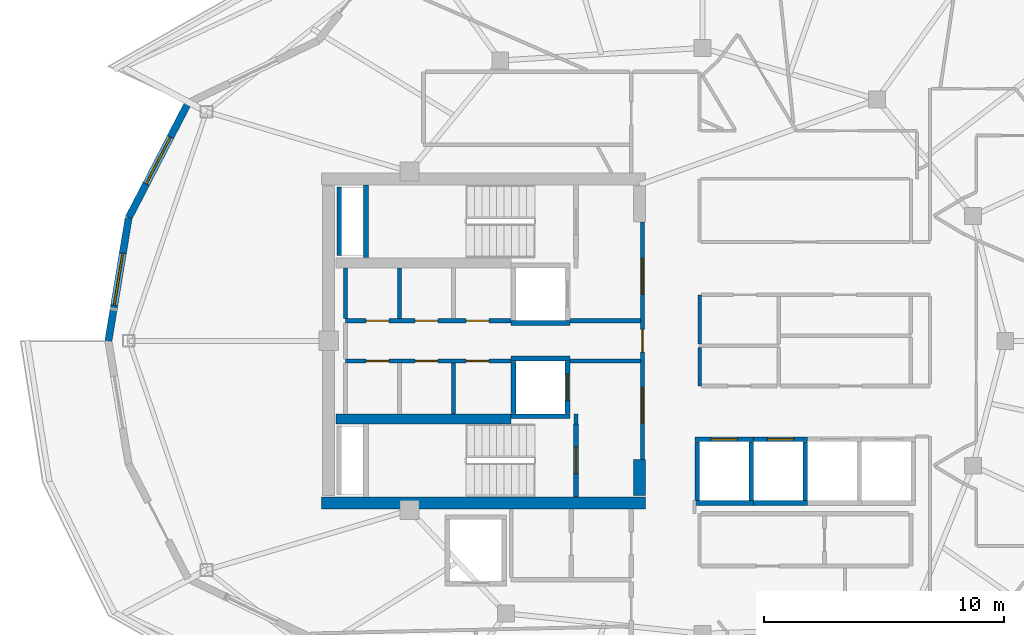
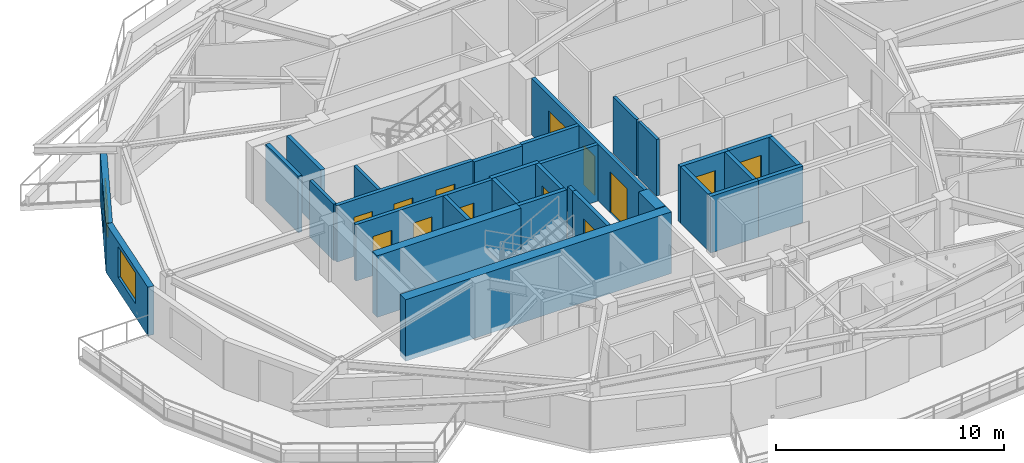
# One storey, part 4 of 18: 31 walls, 13 doors, 2 windows, 15 openings.
"""IFC4 building model written with IfcOpenShell, lengths in metres."""

from ifc_helpers import new_model, si_unit, direction, frame, frame_2d, origin, place, context, subcontext, project, spatial, rectangle, extrude, material, layer, layer_set, type_object, element, fill, save


model = new_model("IFC4")

# Units and contexts
model_context = context("Model", 3, precision=1e-05, world=origin(), true_north=direction((0.0, 1.0)))
body_context = subcontext(model_context, "Body", "Model", "MODEL_VIEW")
ifc_project = project(units=[si_unit("LENGTHUNIT", "METRE"), si_unit("AREAUNIT", "SQUARE_METRE"), si_unit("VOLUMEUNIT", "CUBIC_METRE"), si_unit("PLANEANGLEUNIT", "RADIAN"), si_unit("MASSUNIT", "GRAM", prefix="KILO")], contexts=[model_context])

# Site, building, storey
site_placement = place(None, origin())
site = spatial("IfcSite", under=ifc_project, at=site_placement, CompositionType="ELEMENT")
building_placement = place(site_placement, origin())
building = spatial("IfcBuilding", under=site, at=building_placement, Name="Kolvaren Gate Tower and Convention Centre", CompositionType="ELEMENT")
storey_placement = place(building_placement, frame((0.0, 0.0, 229.39990234375)))
storey = spatial("IfcBuildingStorey", under=building, at=storey_placement, Name="L61", CompositionType="ELEMENT", Elevation=229.39990234375)

# Wall
ifc_material_1 = material(Name="Autoclaved Aerated Masonry Blockwork Class 4 (4.0 MPa)", Category="masonry")
ifc_layer_1 = layer(ifc_material_1, 0.179931640625)
ifc_layer_set_1 = layer_set([ifc_layer_1], Name="Autoclaved Aerated Masonry Blockwork Class 4 (4.0 MPa)")
wall_type_1 = type_object("IfcWallType", Name="ARCH-WL-COMP-180", PredefinedType="SOLIDWALL", material=ifc_layer_set_1)
wall_1_placement = place(storey_placement, frame((24.85009765625, 23.5400390625, 0.0), z_axis=(0.0, 0.0, 1.0), x_axis=(0.0, 1.0, 0.0)))
element("IfcWall", 1, at=wall_1_placement, inside=storey, type_object=wall_type_1, Name="Interior Partition WL-L61-INT-001", PredefinedType="SOLIDWALL", context=body_context, shape_type="SweptSolid", body=[
    extrude(rectangle(XDim=0.419921875, YDim=0.179931640625, at=frame_2d((0.2099609375, 0.0))), origin(), (0.0, 0.0, 1.0), 3.030029296875),
])

# Wall, openings, doors
wall_2_placement = place(storey_placement, frame((27.6201171875, 22.050048828125, 0.0), z_axis=(0.0, 0.0, 1.0), x_axis=(0.0, 1.0, 0.0)))
wall_2 = element("IfcWall", 2, at=wall_2_placement, inside=storey, type_object=wall_type_1, Name="Interior Partition WL-L61-INT-003", PredefinedType="SOLIDWALL", context=body_context, shape_type="SweptSolid", body=[
    extrude(rectangle(XDim=9.89990234375, YDim=0.179931640625, at=frame_2d((4.949951171875, 0.0))), origin(), (0.0, 0.0, 1.0), 3.030029296875),
])
opening_1_placement = place(wall_2_placement, frame((4.47509765625, 0.0, 0.0)))
opening_1 = element("IfcOpeningElement", 3, at=opening_1_placement, cuts=wall_2, Name="Opening DR-01", PredefinedType="OPENING", context=body_context, shape_type="SweptSolid", body=[
    extrude(rectangle(XDim=0.949951171875, YDim=2.10009765625, at=frame_2d((0.47509765625, 1.050048828125))), frame((0.0, 0.099853515625, 0.0), z_axis=(0.0, -1.0, 0.0), x_axis=(1.0, 0.0, 0.0)), (0.0, 0.0, 1.0), 0.199951171875),
])
opening_2_placement = place(wall_2_placement, frame((6.889892578125, 0.0, 0.0)))
opening_2 = element("IfcOpeningElement", 4, at=opening_2_placement, cuts=wall_2, Name="Opening DL-01", PredefinedType="OPENING", context=body_context, shape_type="SweptSolid", body=[
    extrude(rectangle(XDim=1.5, YDim=2.199951171875, at=frame_2d((0.75, 1.10009765625))), frame((0.0, 0.099853515625, 0.0), z_axis=(0.0, -1.0, 0.0), x_axis=(1.0, 0.0, 0.0)), (0.0, 0.0, 1.0), 0.199951171875),
])
opening_3_placement = place(wall_2_placement, frame((1.510009765625, 0.0, 0.0)))
opening_3 = element("IfcOpeningElement", 5, at=opening_3_placement, cuts=wall_2, Name="Opening DL-01", PredefinedType="OPENING", context=body_context, shape_type="SweptSolid", body=[
    extrude(rectangle(XDim=1.5, YDim=2.199951171875, at=frame_2d((0.75, 1.10009765625))), frame((0.0, 0.099853515625, 0.0), z_axis=(0.0, -1.0, 0.0), x_axis=(1.0, 0.0, 0.0)), (0.0, 0.0, 1.0), 0.199951171875),
])
ifc_material_2 = material(Name="Painted Architectural Steelwork ASTM A500 Grade C 345 MPa", Category="steel")
door_type_1 = type_object("IfcDoorType", Name="ARCH-DR-LOBBY-1500", OperationType="DOUBLE_DOOR_SINGLE_SWING", PredefinedType="DOOR", material=ifc_material_2)
door_1_placement = place(opening_2_placement, origin())
door_1 = element("IfcDoor", 6, at=door_1_placement, inside=storey, type_object=door_type_1, Name="North Firefighting Stair and Lift Lobby Door", OperationType="DOUBLE_DOOR_SINGLE_SWING", OverallHeight=2.199951171875, OverallWidth=1.5, PredefinedType="DOOR", context=body_context, shape_type="SweptSolid", body=[
    extrude(rectangle(XDim=1.5, YDim=2.199951171875, at=frame_2d((0.75, 1.10009765625))), frame((0.0, 0.02490234375, 0.0), z_axis=(0.0, -1.0, 0.0), x_axis=(1.0, 0.0, 0.0)), (0.0, 0.0, 1.0), 0.050048828125),
])
fill(opening_2, door_1)
door_2_placement = place(opening_3_placement, origin())
door_2 = element("IfcDoor", 7, at=door_2_placement, inside=storey, type_object=door_type_1, Name="South Firefighting Stair and Lift Lobby Door", OperationType="DOUBLE_DOOR_SINGLE_SWING", OverallHeight=2.199951171875, OverallWidth=1.5, PredefinedType="DOOR", context=body_context, shape_type="SweptSolid", body=[
    extrude(rectangle(XDim=1.5, YDim=2.199951171875, at=frame_2d((0.75, 1.10009765625))), frame((0.0, 0.02490234375, 0.0), z_axis=(0.0, -1.0, 0.0), x_axis=(1.0, 0.0, 0.0)), (0.0, 0.0, 1.0), 0.050048828125),
])
fill(opening_3, door_2)
door_type_2 = type_object("IfcDoorType", Name="ARCH-DR-RISER-950", OperationType="SINGLE_SWING_RIGHT", PredefinedType="DOOR", material=ifc_material_2)
door_3_placement = place(opening_1_placement, origin())
door_3 = element("IfcDoor", 8, at=door_3_placement, inside=storey, type_object=door_type_2, Name="Central MEP Service Corridor Door", OperationType="SINGLE_SWING_LEFT", OverallHeight=2.10009765625, OverallWidth=0.949951171875, PredefinedType="DOOR", context=body_context, shape_type="SweptSolid", body=[
    extrude(rectangle(XDim=0.949951171875, YDim=2.10009765625, at=frame_2d((0.47509765625, 1.050048828125))), frame((0.0, 0.02490234375, 0.0), z_axis=(0.0, -1.0, 0.0), x_axis=(1.0, 0.0, 0.0)), (0.0, 0.0, 1.0), 0.050048828125),
])
fill(opening_1, door_3)

wall_3_placement = place(storey_placement, frame((15.25, 27.840087890625, 0.0), z_axis=(0.0, 0.0, 1.0), x_axis=(1.0, 0.0, 0.0)))
wall_3 = element("IfcWall", 9, at=wall_3_placement, inside=storey, type_object=wall_type_1, Name="Interior Partition WL-L61-INT-004", PredefinedType="SOLIDWALL", context=body_context, shape_type="SweptSolid", body=[
    extrude(rectangle(XDim=6.89990234375, YDim=0.179931640625, at=frame_2d((3.449951171875, 0.0))), origin(), (0.0, 0.0, 1.0), 3.030029296875),
])
opening_4_placement = place(wall_3_placement, frame((5.02001953125, 0.0, 0.0)))
opening_4 = element("IfcOpeningElement", 10, at=opening_4_placement, cuts=wall_3, Name="Opening DR-01", PredefinedType="OPENING", context=body_context, shape_type="SweptSolid", body=[
    extrude(rectangle(XDim=0.949951171875, YDim=2.10009765625, at=frame_2d((0.47509765625, 1.050048828125))), frame((0.0, 0.099853515625, 0.0), z_axis=(0.0, -1.0, 0.0), x_axis=(1.0, 0.0, 0.0)), (0.0, 0.0, 1.0), 0.199951171875),
])
opening_5_placement = place(wall_3_placement, frame((0.85498046875, 0.0, 0.0)))
opening_5 = element("IfcOpeningElement", 11, at=opening_5_placement, cuts=wall_3, Name="Opening DR-01", PredefinedType="OPENING", context=body_context, shape_type="SweptSolid", body=[
    extrude(rectangle(XDim=0.949951171875, YDim=2.10009765625, at=frame_2d((0.47509765625, 1.050048828125))), frame((0.0, 0.099853515625, 0.0), z_axis=(0.0, -1.0, 0.0), x_axis=(1.0, 0.0, 0.0)), (0.0, 0.0, 1.0), 0.199951171875),
])
opening_6_placement = place(wall_3_placement, frame((2.89990234375, 0.0, 0.0)))
opening_6 = element("IfcOpeningElement", 12, at=opening_6_placement, cuts=wall_3, Name="Opening DR-01", PredefinedType="OPENING", context=body_context, shape_type="SweptSolid", body=[
    extrude(rectangle(XDim=0.949951171875, YDim=2.10009765625, at=frame_2d((0.47509765625, 1.050048828125))), frame((0.0, 0.099853515625, 0.0), z_axis=(0.0, -1.0, 0.0), x_axis=(1.0, 0.0, 0.0)), (0.0, 0.0, 1.0), 0.199951171875),
])
door_4_placement = place(opening_4_placement, origin())
door_4 = element("IfcDoor", 13, at=door_4_placement, inside=storey, type_object=door_type_2, Name="Electrical Switchgear Closet Door", OperationType="SINGLE_SWING_RIGHT", OverallHeight=2.10009765625, OverallWidth=0.949951171875, PredefinedType="DOOR", context=body_context, shape_type="SweptSolid", body=[
    extrude(rectangle(XDim=0.949951171875, YDim=2.10009765625, at=frame_2d((0.47509765625, 1.050048828125))), frame((0.0, 0.02490234375, 0.0), z_axis=(0.0, -1.0, 0.0), x_axis=(1.0, 0.0, 0.0)), (0.0, 0.0, 1.0), 0.050048828125),
])
fill(opening_4, door_4)
door_5_placement = place(opening_5_placement, origin())
door_5 = element("IfcDoor", 14, at=door_5_placement, inside=storey, type_object=door_type_2, Name="Staff Accessible WC Door", OperationType="SINGLE_SWING_RIGHT", OverallHeight=2.10009765625, OverallWidth=0.949951171875, PredefinedType="DOOR", context=body_context, shape_type="SweptSolid", body=[
    extrude(rectangle(XDim=0.949951171875, YDim=2.10009765625, at=frame_2d((0.47509765625, 1.050048828125))), frame((0.0, 0.02490234375, 0.0), z_axis=(0.0, -1.0, 0.0), x_axis=(1.0, 0.0, 0.0)), (0.0, 0.0, 1.0), 0.050048828125),
])
fill(opening_5, door_5)
door_6_placement = place(opening_6_placement, origin())
door_6 = element("IfcDoor", 15, at=door_6_placement, inside=storey, type_object=door_type_2, Name="Housekeeping Sink Closet Door", OperationType="SINGLE_SWING_LEFT", OverallHeight=2.10009765625, OverallWidth=0.949951171875, PredefinedType="DOOR", context=body_context, shape_type="SweptSolid", body=[
    extrude(rectangle(XDim=0.949951171875, YDim=2.10009765625, at=frame_2d((0.47509765625, 1.050048828125))), frame((0.0, 0.02490234375, 0.0), z_axis=(0.0, -1.0, 0.0), x_axis=(1.0, 0.0, 0.0)), (0.0, 0.0, 1.0), 0.050048828125),
])
fill(opening_6, door_6)

# Wall
wall_4_placement = place(storey_placement, frame((24.60009765625, 27.840087890625, 0.0), z_axis=(0.0, 0.0, 1.0), x_axis=(1.0, 0.0, 0.0)))
element("IfcWall", 16, at=wall_4_placement, inside=storey, type_object=wall_type_1, Name="Interior Partition WL-L61-INT-004 (2)", PredefinedType="SOLIDWALL", context=body_context, shape_type="SweptSolid", body=[
    extrude(rectangle(XDim=2.927978515625, YDim=0.179931640625, at=frame_2d((1.4638671875, 0.0))), origin(), (0.0, 0.0, 1.0), 3.030029296875),
])

# Wall, openings, doors
wall_5_placement = place(storey_placement, frame((15.25, 26.159912109375, 0.0), z_axis=(0.0, 0.0, 1.0), x_axis=(1.0, 0.0, 0.0)))
wall_5 = element("IfcWall", 17, at=wall_5_placement, inside=storey, type_object=wall_type_1, Name="Interior Partition WL-L61-INT-005", PredefinedType="SOLIDWALL", context=body_context, shape_type="SweptSolid", body=[
    extrude(rectangle(XDim=6.89990234375, YDim=0.179931640625, at=frame_2d((3.449951171875, 0.0))), origin(), (0.0, 0.0, 1.0), 3.030029296875),
])
opening_7_placement = place(wall_5_placement, frame((5.02001953125, 0.0, 0.0)))
opening_7 = element("IfcOpeningElement", 18, at=opening_7_placement, cuts=wall_5, Name="Opening DR-01", PredefinedType="OPENING", context=body_context, shape_type="SweptSolid", body=[
    extrude(rectangle(XDim=0.949951171875, YDim=2.10009765625, at=frame_2d((0.47509765625, 1.050048828125))), frame((0.0, 0.099853515625, 0.0), z_axis=(0.0, -1.0, 0.0), x_axis=(1.0, 0.0, 0.0)), (0.0, 0.0, 1.0), 0.199951171875),
])
opening_8_placement = place(wall_5_placement, frame((0.85498046875, 0.0, 0.0)))
opening_8 = element("IfcOpeningElement", 19, at=opening_8_placement, cuts=wall_5, Name="Opening DR-01", PredefinedType="OPENING", context=body_context, shape_type="SweptSolid", body=[
    extrude(rectangle(XDim=0.949951171875, YDim=2.10009765625, at=frame_2d((0.47509765625, 1.050048828125))), frame((0.0, 0.099853515625, 0.0), z_axis=(0.0, -1.0, 0.0), x_axis=(1.0, 0.0, 0.0)), (0.0, 0.0, 1.0), 0.199951171875),
])
opening_9_placement = place(wall_5_placement, frame((2.89990234375, 0.0, 0.0)))
opening_9 = element("IfcOpeningElement", 20, at=opening_9_placement, cuts=wall_5, Name="Opening DR-01", PredefinedType="OPENING", context=body_context, shape_type="SweptSolid", body=[
    extrude(rectangle(XDim=0.949951171875, YDim=2.10009765625, at=frame_2d((0.47509765625, 1.050048828125))), frame((0.0, 0.099853515625, 0.0), z_axis=(0.0, -1.0, 0.0), x_axis=(1.0, 0.0, 0.0)), (0.0, 0.0, 1.0), 0.199951171875),
])
door_7_placement = place(opening_7_placement, origin())
door_7 = element("IfcDoor", 21, at=door_7_placement, inside=storey, type_object=door_type_2, Name="Domestic Water Meter Closet Door", OperationType="SINGLE_SWING_LEFT", OverallHeight=2.10009765625, OverallWidth=0.949951171875, PredefinedType="DOOR", context=body_context, shape_type="SweptSolid", body=[
    extrude(rectangle(XDim=0.949951171875, YDim=2.10009765625, at=frame_2d((0.47509765625, 1.050048828125))), frame((0.0, 0.02490234375, 0.0), z_axis=(0.0, -1.0, 0.0), x_axis=(1.0, 0.0, 0.0)), (0.0, 0.0, 1.0), 0.050048828125),
])
fill(opening_7, door_7)
door_8_placement = place(opening_8_placement, origin())
door_8 = element("IfcDoor", 22, at=door_8_placement, inside=storey, type_object=door_type_2, Name="Beverage Service Pantry Door", OperationType="SINGLE_SWING_RIGHT", OverallHeight=2.10009765625, OverallWidth=0.949951171875, PredefinedType="DOOR", context=body_context, shape_type="SweptSolid", body=[
    extrude(rectangle(XDim=0.949951171875, YDim=2.10009765625, at=frame_2d((0.47509765625, 1.050048828125))), frame((0.0, 0.02490234375, 0.0), z_axis=(0.0, -1.0, 0.0), x_axis=(1.0, 0.0, 0.0)), (0.0, 0.0, 1.0), 0.050048828125),
])
fill(opening_8, door_8)
door_9_placement = place(opening_9_placement, origin())
door_9 = element("IfcDoor", 23, at=door_9_placement, inside=storey, type_object=door_type_2, Name="Archive Supply Closet Door", OperationType="SINGLE_SWING_LEFT", OverallHeight=2.10009765625, OverallWidth=0.949951171875, PredefinedType="DOOR", context=body_context, shape_type="SweptSolid", body=[
    extrude(rectangle(XDim=0.949951171875, YDim=2.10009765625, at=frame_2d((0.47509765625, 1.050048828125))), frame((0.0, 0.02490234375, 0.0), z_axis=(0.0, -1.0, 0.0), x_axis=(1.0, 0.0, 0.0)), (0.0, 0.0, 1.0), 0.050048828125),
])
fill(opening_9, door_9)

# Walls
wall_6_placement = place(storey_placement, frame((24.60009765625, 26.159912109375, 0.0), z_axis=(0.0, 0.0, 1.0), x_axis=(1.0, 0.0, 0.0)))
element("IfcWall", 24, at=wall_6_placement, inside=storey, type_object=wall_type_1, Name="Interior Partition WL-L61-INT-005 (2)", PredefinedType="SOLIDWALL", context=body_context, shape_type="SweptSolid", body=[
    extrude(rectangle(XDim=2.927978515625, YDim=0.179931640625, at=frame_2d((1.4638671875, 0.0))), origin(), (0.0, 0.0, 1.0), 3.030029296875),
])
wall_7_placement = place(storey_placement, frame((19.75, 23.9619140625, 0.0), z_axis=(0.0, 0.0, 1.0), x_axis=(0.0, 1.0, 0.0)))
element("IfcWall", 25, at=wall_7_placement, inside=storey, type_object=wall_type_1, Name="Interior Partition WL-L61-INT-007", PredefinedType="SOLIDWALL", context=body_context, shape_type="SweptSolid", body=[
    extrude(rectangle(XDim=2.106201171875, YDim=0.179931640625, at=frame_2d((1.05322265625, 0.0))), origin(), (0.0, 0.0, 1.0), 3.030029296875),
])
ifc_layer_2 = layer(ifc_material_1, 0.199951171875)
ifc_layer_set_2 = layer_set([ifc_layer_2], Name="Autoclaved Aerated Masonry Blockwork Class 4 (4.0 MPa)")
wall_type_2 = type_object("IfcWallType", Name="ARCH-WL-SHAFT-200", PredefinedType="SOLIDWALL", material=ifc_layer_set_2)
for number, where, z_axis, x_axis, name in (
    (26, (22.14990234375, 27.739990234375, 0.0), (0.0, 0.0, 1.0), (1.0, 0.0, 0.0), "Elevator FF-01 L61 Fire Shaft Wall S"),
    (27, (22.14990234375, 26.260009765625, 0.0), (0.0, 0.0, 1.0), (1.0, 0.0, 0.0), "Elevator FF-02 L61 Fire Shaft Wall N"),
    (28, (22.14990234375, 23.860107421875, 0.0), (0.0, 0.0, 1.0), (1.0, 0.0, 0.0), "Elevator FF-02 L61 Fire Shaft Wall S"),
):
    element("IfcWall", number, at=place(storey_placement, frame(where, z_axis=z_axis, x_axis=x_axis)), inside=storey, type_object=wall_type_2, Name=name, PredefinedType="SOLIDWALL", context=body_context, shape_type="SweptSolid", body=[
        extrude(rectangle(XDim=2.4501953125, YDim=0.199951171875, at=frame_2d((1.22509765625, 0.0))), origin(), (0.0, 0.0, 1.0), 3.030029296875),
    ])
wall_8_placement = place(storey_placement, frame((22.25, 23.969970703125, 0.0), z_axis=(0.0, 0.0, 1.0), x_axis=(0.0, 1.0, 0.0)))
element("IfcWall", 29, at=wall_8_placement, inside=storey, type_object=wall_type_2, Name="Elevator FF-02 L61 Fire Shaft Wall W", PredefinedType="SOLIDWALL", context=body_context, shape_type="SweptSolid", body=[
    extrude(rectangle(XDim=2.179931640625, YDim=0.199951171875, at=frame_2d((1.08984375, 0.0))), origin(), (0.0, 0.0, 1.0), 3.030029296875),
])

# Wall, opening, door
wall_9_placement = place(storey_placement, frame((24.5, 23.969970703125, 0.0), z_axis=(0.0, 0.0, 1.0), x_axis=(0.0, 1.0, 0.0)))
wall_9 = element("IfcWall", 30, at=wall_9_placement, inside=storey, type_object=wall_type_2, Name="Elevator FF-02 L61 Fire Shaft Wall E", PredefinedType="SOLIDWALL", context=body_context, shape_type="SweptSolid", body=[
    extrude(rectangle(XDim=2.179931640625, YDim=0.199951171875, at=frame_2d((1.08984375, 0.0))), origin(), (0.0, 0.0, 1.0), 3.030029296875),
])
opening_10_placement = place(wall_9_placement, frame((0.5400390625, 0.0, 0.0)))
opening_10 = element("IfcOpeningElement", 31, at=opening_10_placement, cuts=wall_9, Name="Opening LD", PredefinedType="OPENING", context=body_context, shape_type="SweptSolid", body=[
    extrude(rectangle(XDim=1.10009765625, YDim=2.199951171875, at=frame_2d((0.550048828125, 1.10009765625))), frame((0.0, 0.10986328125, 0.0), z_axis=(0.0, -1.0, 0.0), x_axis=(1.0, 0.0, 0.0)), (0.0, 0.0, 1.0), 0.219970703125),
])
ifc_material_3 = material(Name="Brushed Stainless Steel Grade 316L", Category="steel")
door_type_3 = type_object("IfcDoorType", Name="ARCH-DR-LIFT-1100", OperationType="SLIDING_TO_LEFT", PredefinedType="DOOR", material=ifc_material_3)
door_10_placement = place(opening_10_placement, origin())
door_10 = element("IfcDoor", 32, at=door_10_placement, inside=storey, type_object=door_type_3, Name="Elevator FF-02 L61 Sliding Landing Door", OperationType="SLIDING_TO_LEFT", OverallHeight=2.199951171875, OverallWidth=1.10009765625, PredefinedType="DOOR", context=body_context, shape_type="SweptSolid", body=[
    extrude(rectangle(XDim=1.10009765625, YDim=2.199951171875, at=frame_2d((0.550048828125, 1.10009765625))), frame((0.0, 0.02490234375, 0.0), z_axis=(0.0, -1.0, 0.0), x_axis=(1.0, 0.0, 0.0)), (0.0, 0.0, 1.0), 0.050048828125),
])
fill(opening_10, door_10)

wall_10_placement = place(storey_placement, frame((29.800048828125, 22.89990234375, 0.0), z_axis=(0.0, 0.0, 1.0), x_axis=(1.0, 0.0, 0.0)))
wall_10 = element("IfcWall", 33, at=wall_10_placement, inside=storey, type_object=wall_type_2, Name="Elevator PL-09 L61 Fire Shaft Wall N", PredefinedType="SOLIDWALL", context=body_context, shape_type="SweptSolid", body=[
    extrude(rectangle(XDim=2.449951171875, YDim=0.199951171875, at=frame_2d((1.22509765625, 0.0))), origin(), (0.0, 0.0, 1.0), 3.030029296875),
])
opening_11_placement = place(wall_10_placement, frame((0.675048828125, 0.0, 0.0)))
opening_11 = element("IfcOpeningElement", 34, at=opening_11_placement, cuts=wall_10, Name="Opening LD", PredefinedType="OPENING", context=body_context, shape_type="SweptSolid", body=[
    extrude(rectangle(XDim=1.10009765625, YDim=2.199951171875, at=frame_2d((0.550048828125, 1.10009765625))), frame((0.0, 0.10986328125, 0.0), z_axis=(0.0, -1.0, 0.0), x_axis=(1.0, 0.0, 0.0)), (0.0, 0.0, 1.0), 0.219970703125),
])
door_11_placement = place(opening_11_placement, origin())
door_11 = element("IfcDoor", 35, at=door_11_placement, inside=storey, type_object=door_type_3, Name="Elevator PL-09 L61 Sliding Landing Door", OperationType="SLIDING_TO_LEFT", OverallHeight=2.199951171875, OverallWidth=1.10009765625, PredefinedType="DOOR", context=body_context, shape_type="SweptSolid", body=[
    extrude(rectangle(XDim=1.10009765625, YDim=2.199951171875, at=frame_2d((0.550048828125, 1.10009765625))), frame((0.0, 0.02490234375, 0.0), z_axis=(0.0, -1.0, 0.0), x_axis=(1.0, 0.0, 0.0)), (0.0, 0.0, 1.0), 0.050048828125),
])
fill(opening_11, door_11)

# Walls
wall_11_placement = place(storey_placement, frame((29.800048828125, 20.25, 0.0), z_axis=(0.0, 0.0, 1.0), x_axis=(1.0, 0.0, 0.0)))
element("IfcWall", 36, at=wall_11_placement, inside=storey, type_object=wall_type_2, Name="Elevator PL-09 L61 Fire Shaft Wall S", PredefinedType="SOLIDWALL", context=body_context, shape_type="SweptSolid", body=[
    extrude(rectangle(XDim=2.449951171875, YDim=0.199951171875, at=frame_2d((1.22509765625, 0.0))), origin(), (0.0, 0.0, 1.0), 3.030029296875),
])
for number, where, z_axis, x_axis, name in (
    (37, (29.89990234375, 20.360107421875, 0.0), (0.0, 0.0, 1.0), (0.0, 1.0, 0.0), "Elevator PL-09 L61 Fire Shaft Wall W"),
    (38, (32.14990234375, 20.360107421875, 0.0), (0.0, 0.0, 1.0), (0.0, 1.0, 0.0), "Elevator PL-09 L61 Fire Shaft Wall E"),
):
    element("IfcWall", number, at=place(storey_placement, frame(where, z_axis=z_axis, x_axis=x_axis)), inside=storey, type_object=wall_type_2, Name=name, PredefinedType="SOLIDWALL", context=body_context, shape_type="SweptSolid", body=[
        extrude(rectangle(XDim=2.429931640625, YDim=0.199951171875, at=frame_2d((1.21484375, 0.0))), origin(), (0.0, 0.0, 1.0), 3.030029296875),
    ])

# Wall, opening, door
wall_12_placement = place(storey_placement, frame((32.25, 22.89990234375, 0.0), z_axis=(0.0, 0.0, 1.0), x_axis=(1.0, 0.0, 0.0)))
wall_12 = element("IfcWall", 39, at=wall_12_placement, inside=storey, type_object=wall_type_2, Name="Elevator PL-10 L61 Fire Shaft Wall N", PredefinedType="SOLIDWALL", context=body_context, shape_type="SweptSolid", body=[
    extrude(rectangle(XDim=2.25, YDim=0.199951171875, at=frame_2d((1.125, 0.0))), origin(), (0.0, 0.0, 1.0), 3.030029296875),
])
opening_12_placement = place(wall_12_placement, frame((0.574951171875, 0.0, 0.0)))
opening_12 = element("IfcOpeningElement", 40, at=opening_12_placement, cuts=wall_12, Name="Opening LD", PredefinedType="OPENING", context=body_context, shape_type="SweptSolid", body=[
    extrude(rectangle(XDim=1.10009765625, YDim=2.199951171875, at=frame_2d((0.550048828125, 1.10009765625))), frame((0.0, 0.10986328125, 0.0), z_axis=(0.0, -1.0, 0.0), x_axis=(1.0, 0.0, 0.0)), (0.0, 0.0, 1.0), 0.219970703125),
])
door_12_placement = place(opening_12_placement, origin())
door_12 = element("IfcDoor", 41, at=door_12_placement, inside=storey, type_object=door_type_3, Name="Elevator PL-10 L61 Sliding Landing Door", OperationType="SLIDING_TO_LEFT", OverallHeight=2.199951171875, OverallWidth=1.10009765625, PredefinedType="DOOR", context=body_context, shape_type="SweptSolid", body=[
    extrude(rectangle(XDim=1.10009765625, YDim=2.199951171875, at=frame_2d((0.550048828125, 1.10009765625))), frame((0.0, 0.02490234375, 0.0), z_axis=(0.0, -1.0, 0.0), x_axis=(1.0, 0.0, 0.0)), (0.0, 0.0, 1.0), 0.050048828125),
])
fill(opening_12, door_12)

# Walls
wall_13_placement = place(storey_placement, frame((32.25, 20.25, 0.0), z_axis=(0.0, 0.0, 1.0), x_axis=(1.0, 0.0, 0.0)))
element("IfcWall", 42, at=wall_13_placement, inside=storey, type_object=wall_type_2, Name="Elevator PL-10 L61 Fire Shaft Wall S", PredefinedType="SOLIDWALL", context=body_context, shape_type="SweptSolid", body=[
    extrude(rectangle(XDim=2.25, YDim=0.199951171875, at=frame_2d((1.125, 0.0))), origin(), (0.0, 0.0, 1.0), 3.030029296875),
])
wall_14_placement = place(storey_placement, frame((34.39990234375, 20.360107421875, 0.0), z_axis=(0.0, 0.0, 1.0), x_axis=(0.0, 1.0, 0.0)))
element("IfcWall", 43, at=wall_14_placement, inside=storey, type_object=wall_type_2, Name="Elevator PL-10 L61 Fire Shaft Wall E", PredefinedType="SOLIDWALL", context=body_context, shape_type="SweptSolid", body=[
    extrude(rectangle(XDim=2.429931640625, YDim=0.199951171875, at=frame_2d((1.21484375, 0.0))), origin(), (0.0, 0.0, 1.0), 3.030029296875),
])
wall_15_placement = place(storey_placement, frame((14.989990234375, 30.550048828125, 0.0), z_axis=(0.0, 0.0, 1.0), x_axis=(0.0, 1.0, 0.0)))
element("IfcWall", 44, at=wall_15_placement, inside=storey, type_object=wall_type_2, Name="Vertical Shaft HVR L61 EI-120 Enclosure Wall W", PredefinedType="SOLIDWALL", context=body_context, shape_type="SweptSolid", body=[
    extrude(rectangle(XDim=2.849853515625, YDim=0.199951171875, at=frame_2d((1.4248046875, 0.0))), origin(), (0.0, 0.0, 1.0), 3.030029296875),
])

# Wall, opening, window
ifc_material_4 = material(Name="Piedmont Cream Honed Limestone Cladding", Category="masonry")
ifc_layer_3 = layer(ifc_material_4, 0.300048828125)
ifc_layer_set_3 = layer_set([ifc_layer_3], Name="Piedmont Cream Honed Limestone Cladding")
wall_type_3 = type_object("IfcWallType", Name="ARCH-WL-STONE-300", PredefinedType="SOLIDWALL", material=ifc_layer_set_3)
wall_16_placement = place(storey_placement, frame((6.21826171875, 32.12451171875, 0.0), z_axis=(0.0, 0.0, 1.0), x_axis=(0.459808219482, 0.888018243786, 0.0)))
wall_16 = element("IfcWall", 45, at=wall_16_placement, inside=storey, type_object=wall_type_3, Name="Tower L61 Honed Stone Spandrel Wall EW-10", PredefinedType="SOLIDWALL", context=body_context, shape_type="SweptSolid", body=[
    extrude(rectangle(XDim=5.377685546875, YDim=0.300048828125, at=frame_2d((2.68896484375, 0.0))), origin(), (0.0, 0.0, 1.0), 2.60498046875),
])
opening_13_placement = place(wall_16_placement, frame((1.589111328125, 0.0, 0.719970703125)))
opening_13 = element("IfcOpeningElement", 46, at=opening_13_placement, cuts=wall_16, Name="Opening W-03", PredefinedType="OPENING", context=body_context, shape_type="SweptSolid", body=[
    extrude(rectangle(XDim=2.199951171875, YDim=1.64990234375, at=frame_2d((1.10009765625, 0.824951171875))), frame((0.0, 0.159912109375, 0.0), z_axis=(0.0, -1.0, 0.0), x_axis=(1.0, 0.0, 0.0)), (0.0, 0.0, 1.0), 0.320068359375),
])
ifc_material_5 = material(Name="Low-E Triple Insulated Glazing Unit 44 mm", Category="glass")
window_type = type_object("IfcWindowType", Name="ARCH-WN-RES-2200", PartitioningType="SINGLE_PANEL", PredefinedType="WINDOW", material=ifc_material_5)
window_1_placement = place(opening_13_placement, origin())
window_1 = element("IfcWindow", 47, at=window_1_placement, inside=storey, type_object=window_type, Name="Tower L61 Punched Stone Facade Window W-10", OverallHeight=1.64990234375, OverallWidth=2.199951171875, PartitioningType="SINGLE_PANEL", PredefinedType="WINDOW", context=body_context, shape_type="SweptSolid", body=[
    extrude(rectangle(XDim=2.199951171875, YDim=1.64990234375, at=frame_2d((1.10009765625, 0.824951171875))), frame((0.0, 0.030029296875, 0.0), z_axis=(0.0, -1.0, 0.0), x_axis=(1.0, 0.0, 0.0)), (0.0, 0.0, 1.0), 0.06005859375),
])
fill(opening_13, window_1)

wall_17_placement = place(storey_placement, frame((5.375, 27.0, 0.0), z_axis=(0.0, 0.0, 1.0), x_axis=(0.16237087798, 0.986729799886, 0.0)))
wall_17 = element("IfcWall", 48, at=wall_17_placement, inside=storey, type_object=wall_type_3, Name="Tower L61 Honed Stone Spandrel Wall EW-11", PredefinedType="SOLIDWALL", context=body_context, shape_type="SweptSolid", body=[
    extrude(rectangle(XDim=5.193359375, YDim=0.300048828125, at=frame_2d((2.5966796875, 0.0))), origin(), (0.0, 0.0, 1.0), 2.60498046875),
])
opening_14_placement = place(wall_17_placement, frame((1.4970703125, 0.0, 0.719970703125)))
opening_14 = element("IfcOpeningElement", 49, at=opening_14_placement, cuts=wall_17, Name="Opening W-03", PredefinedType="OPENING", context=body_context, shape_type="SweptSolid", body=[
    extrude(rectangle(XDim=2.199951171875, YDim=1.64990234375, at=frame_2d((1.10009765625, 0.824951171875))), frame((0.0, 0.159912109375, 0.0), z_axis=(0.0, -1.0, 0.0), x_axis=(1.0, 0.0, 0.0)), (0.0, 0.0, 1.0), 0.320068359375),
])
window_2_placement = place(opening_14_placement, origin())
window_2 = element("IfcWindow", 50, at=window_2_placement, inside=storey, type_object=window_type, Name="Tower L61 Punched Stone Facade Window W-11", OverallHeight=1.64990234375, OverallWidth=2.199951171875, PartitioningType="SINGLE_PANEL", PredefinedType="WINDOW", context=body_context, shape_type="SweptSolid", body=[
    extrude(rectangle(XDim=2.199951171875, YDim=1.64990234375, at=frame_2d((1.10009765625, 0.824951171875))), frame((0.0, 0.030029296875, 0.0), z_axis=(0.0, -1.0, 0.0), x_axis=(1.0, 0.0, 0.0)), (0.0, 0.0, 1.0), 0.06005859375),
])
fill(opening_14, window_2)

# Walls
ifc_material_6 = material(Name="Moisture-Resistant Cement-Board Acoustic Partition", Category="gypsum")
ifc_layer_4 = layer(ifc_material_6, 0.14990234375)
ifc_layer_set_4 = layer_set([ifc_layer_4], Name="Moisture-Resistant Cement-Board Acoustic Partition")
wall_type_4 = type_object("IfcWallType", Name="ARCH-WL-WET-150", PredefinedType="PARTITIONING", material=ifc_layer_set_4)
for number, where, z_axis, x_axis, name in (
    (51, (15.25, 27.931884765625, 0.0), (0.0, 0.0, 1.0), (0.0, 1.0, 0.0), "Interior Partition WL-L61-INT-006 (3)"),
    (52, (17.5, 27.931884765625, 0.0), (0.0, 0.0, 1.0), (0.0, 1.0, 0.0), "Interior Partition WL-L61-INT-010"),
):
    element("IfcWall", number, at=place(storey_placement, frame(where, z_axis=z_axis, x_axis=x_axis)), inside=storey, type_object=wall_type_4, Name=name, PredefinedType="PARTITIONING", context=body_context, shape_type="SweptSolid", body=[
        extrude(rectangle(XDim=2.106201171875, YDim=0.14990234375, at=frame_2d((1.05322265625, 0.0))), origin(), (0.0, 0.0, 1.0), 3.030029296875),
    ])
wall_18_placement = place(storey_placement, frame((30.0, 25.1201171875, 0.0), z_axis=(0.0, 0.0, 1.0), x_axis=(0.0, 1.0, 0.0)))
element("IfcWall", 53, at=wall_18_placement, inside=storey, type_object=wall_type_4, Name="Interior Partition WL-L61-INT-019", PredefinedType="PARTITIONING", context=body_context, shape_type="SweptSolid", body=[
    extrude(rectangle(XDim=1.602783203125, YDim=0.14990234375, at=frame_2d((0.80126953125, 0.0))), origin(), (0.0, 0.0, 1.0), 3.030029296875),
])
wall_19_placement = place(storey_placement, frame((30.0, 26.876953125, 0.0), z_axis=(0.0, 0.0, 1.0), x_axis=(0.0, 1.0, 0.0)))
element("IfcWall", 54, at=wall_19_placement, inside=storey, type_object=wall_type_4, Name="Interior Partition WL-L61-INT-019 (2)", PredefinedType="PARTITIONING", context=body_context, shape_type="SweptSolid", body=[
    extrude(rectangle(XDim=2.04296875, YDim=0.14990234375, at=frame_2d((1.021484375, 0.0))), origin(), (0.0, 0.0, 1.0), 3.030029296875),
])
ifc_material_7 = material(Name="Concrete C50/60", Category="concrete")
ifc_layer_5 = layer(ifc_material_7, 0.419921875)
ifc_layer_set_5 = layer_set([ifc_layer_5], Name="Concrete C50/60")
wall_type_5 = type_object("IfcWallType", Name="STR-WL-CONV-420", PredefinedType="SHEAR", material=ifc_layer_set_5)
wall_20_placement = place(storey_placement, frame((14.85009765625, 23.75, -0.27001953125), z_axis=(0.0, 0.0, 1.0), x_axis=(1.0, 0.0, 0.0)))
element("IfcWall", 55, at=wall_20_placement, inside=storey, type_object=wall_type_5, Name="Tower L61 Offset Core Shear Wall WS", PredefinedType="SHEAR", context=body_context, shape_type="SweptSolid", body=[
    extrude(rectangle(XDim=7.2998046875, YDim=0.419921875, at=frame_2d((3.64990234375, 0.0))), origin(), (0.0, 0.0, 1.0), 3.300048828125),
])
ifc_layer_6 = layer(ifc_material_7, 0.5)
ifc_layer_set_6 = layer_set([ifc_layer_6], Name="Concrete C50/60")
wall_type_6 = type_object("IfcWallType", Name="STR-WL-CORE-500", PredefinedType="SHEAR", material=ifc_layer_set_6)
wall_21_placement = place(storey_placement, frame((14.25, 20.25, -0.27001953125), z_axis=(0.0, 0.0, 1.0), x_axis=(1.0, 0.0, 0.0)))
element("IfcWall", 56, at=wall_21_placement, inside=storey, type_object=wall_type_6, Name="Tower L61 Offset Core Shear Wall S", PredefinedType="SHEAR", context=body_context, shape_type="SweptSolid", body=[
    extrude(rectangle(XDim=13.5, YDim=0.5, at=frame_2d((6.75, 0.0))), origin(), (0.0, 0.0, 1.0), 3.300048828125),
])
wall_22_placement = place(storey_placement, frame((27.5, 20.550048828125, -0.27001953125), z_axis=(0.0, 0.0, 1.0), x_axis=(0.0, 1.0, 0.0)))
element("IfcWall", 57, at=wall_22_placement, inside=storey, type_object=wall_type_6, Name="Tower L61 Offset Core Shear Wall ES", PredefinedType="SHEAR", context=body_context, shape_type="SweptSolid", body=[
    extrude(rectangle(XDim=1.5, YDim=0.5, at=frame_2d((0.75, 0.0))), origin(), (0.0, 0.0, 1.0), 3.300048828125),
])
ifc_layer_7 = layer(ifc_material_7, 0.199951171875)
ifc_layer_set_7 = layer_set([ifc_layer_7], Name="Concrete C50/60")
wall_type_7 = type_object("IfcWallType", Name="STR-WL-SHAFT-200", PredefinedType="SHEAR", material=ifc_layer_set_7)
wall_23_placement = place(storey_placement, frame((16.10009765625, 30.4619140625, -0.27001953125), z_axis=(0.0, 0.0, 1.0), x_axis=(0.0, 1.0, 0.0)))
element("IfcWall", 58, at=wall_23_placement, inside=storey, type_object=wall_type_7, Name="Tower North Exit Stair ST-T1 L61 Structural Shear Enclosure Wall FAR", PredefinedType="SHEAR", context=body_context, shape_type="SweptSolid", body=[
    extrude(rectangle(XDim=3.0361328125, YDim=0.199951171875, at=frame_2d((1.51806640625, 0.0))), origin(), (0.0, 0.0, 1.0), 3.300048828125),
])

# Wall, opening, door
wall_24_placement = place(storey_placement, frame((24.85009765625, 20.501953125, -0.27001953125), z_axis=(0.0, 0.0, 1.0), x_axis=(0.0, 1.0, 0.0)))
wall_24 = element("IfcWall", 59, at=wall_24_placement, inside=storey, type_object=wall_type_7, Name="Tower South Exit Stair ST-T2 L61 Structural Shear Enclosure Wall NEAR", PredefinedType="SHEAR", context=body_context, shape_type="SweptSolid", body=[
    extrude(rectangle(XDim=3.0380859375, YDim=0.199951171875, at=frame_2d((1.51904296875, 0.0))), origin(), (0.0, 0.0, 1.0), 3.300048828125),
])
opening_15_placement = place(wall_24_placement, frame((0.968994140625, 0.0, 0.27001953125)))
opening_15 = element("IfcOpeningElement", 60, at=opening_15_placement, cuts=wall_24, Name="Opening DS-01", PredefinedType="OPENING", context=body_context, shape_type="SweptSolid", body=[
    extrude(rectangle(XDim=1.10009765625, YDim=2.14990234375, at=frame_2d((0.550048828125, 1.074951171875))), frame((0.0, 0.10986328125, 0.0), z_axis=(0.0, -1.0, 0.0), x_axis=(1.0, 0.0, 0.0)), (0.0, 0.0, 1.0), 0.219970703125),
])
door_type_4 = type_object("IfcDoorType", Name="ARCH-DR-STAIR-1100", OperationType="SINGLE_SWING_LEFT", PredefinedType="DOOR", material=ifc_material_2)
door_13_placement = place(opening_15_placement, origin())
door_13 = element("IfcDoor", 61, at=door_13_placement, inside=storey, type_object=door_type_4, Name="Tower South Exit Stair ST-T2 L61 Fire Exit Stair Door", OperationType="SINGLE_SWING_LEFT", OverallHeight=2.14990234375, OverallWidth=1.10009765625, PredefinedType="DOOR", context=body_context, shape_type="SweptSolid", body=[
    extrude(rectangle(XDim=1.10009765625, YDim=2.14990234375, at=frame_2d((0.550048828125, 1.074951171875))), frame((0.0, 0.02490234375, 0.0), z_axis=(0.0, -1.0, 0.0), x_axis=(1.0, 0.0, 0.0)), (0.0, 0.0, 1.0), 0.050048828125),
])
fill(opening_15, door_13)

save(model, "model.ifc")
